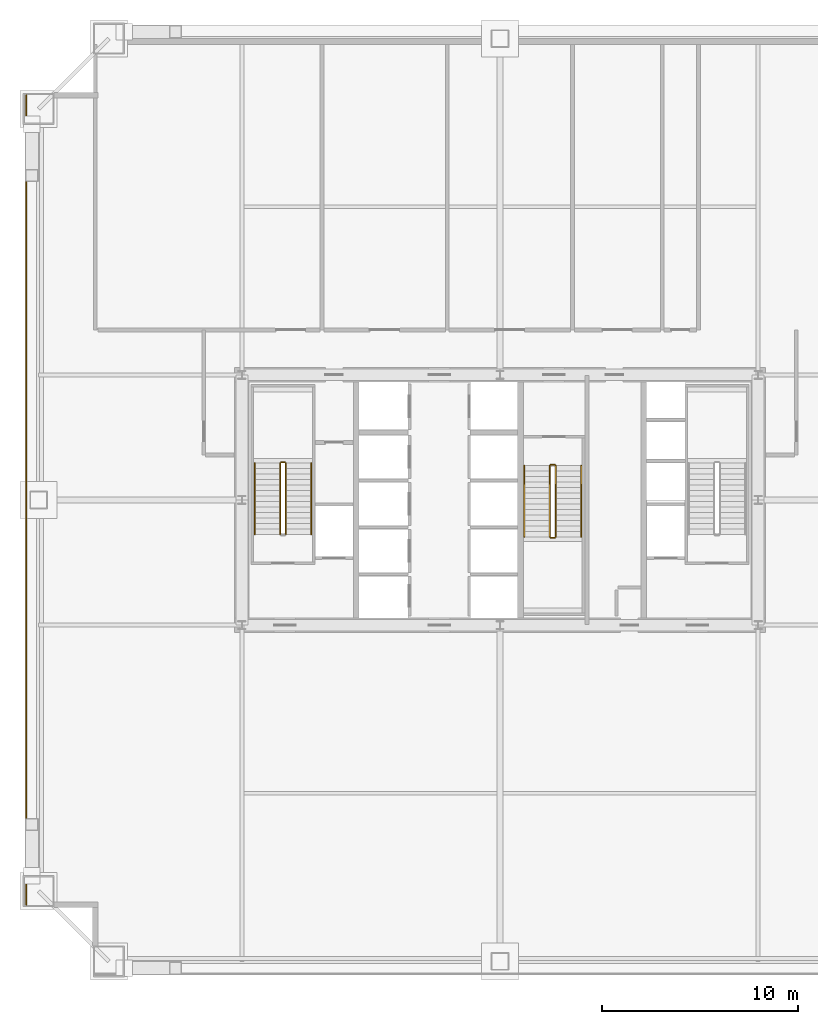
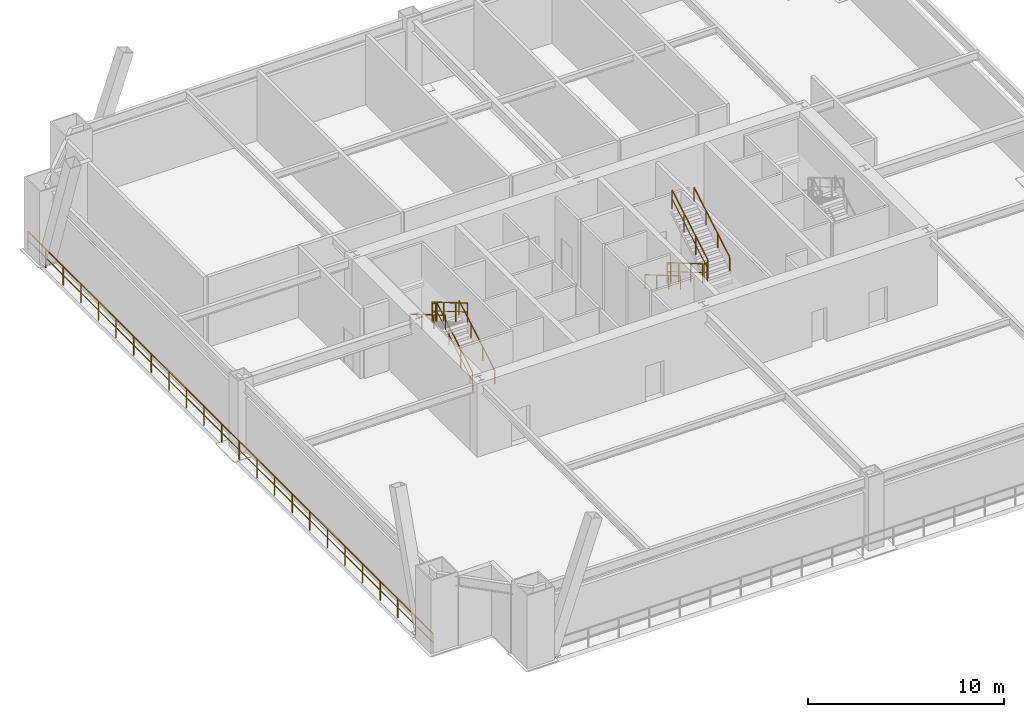
# One storey, part 7 of 9: 12 railings.
"""IFC4 building model written with IfcOpenShell, lengths in metres."""

from ifc_helpers import new_model, si_unit, direction, frame, origin, origin_2d, place, context, subcontext, project, spatial, rectangle, extrude, source, transform, mapped, material, layer, layer_set, type_object, element, save


model = new_model("IFC4")

# Units and contexts
model_context = context("Model", 3, precision=1e-05, world=origin(), true_north=direction((0.0, 1.0)))
body_context = subcontext(model_context, "Body", "Model", "MODEL_VIEW")
ifc_project = project(units=[si_unit("LENGTHUNIT", "METRE"), si_unit("AREAUNIT", "SQUARE_METRE"), si_unit("VOLUMEUNIT", "CUBIC_METRE"), si_unit("PLANEANGLEUNIT", "RADIAN"), si_unit("MASSUNIT", "GRAM", prefix="KILO"), si_unit("THERMODYNAMICTEMPERATUREUNIT", "KELVIN"), si_unit("POWERUNIT", "WATT")], contexts=[model_context])

# Site, building, storey
site_placement = place(None, origin())
site = spatial("IfcSite", under=ifc_project, at=site_placement, CompositionType="ELEMENT")
building_placement = place(site_placement, origin())
building = spatial("IfcBuilding", under=site, at=building_placement, Name="Yuzanri Waterfront Tower", CompositionType="ELEMENT")
storey_placement = place(building_placement, frame((0.0, 0.0, 85.60009765625)))
storey = spatial("IfcBuildingStorey", under=building, at=storey_placement, Name="L22", CompositionType="ELEMENT", Elevation=85.60009765625)

# Railings
ifc_material_1 = material(Name="Anodized Architectural Bronze", Category="metal")
ifc_layer_1 = layer(ifc_material_1, 0.080078125)
ifc_layer_set_1 = layer_set([ifc_layer_1], Name="Anodized Architectural Bronze")
railing_type_1 = type_object("IfcRailingType", Name="Laminated Glass and Bronze Balcony Guardrail 1200", PredefinedType="BALUSTRADE", material=ifc_layer_set_1)
shared_shape_1 = source(origin(), body_context, "Body", "SweptSolid", [
    extrude(rectangle(XDim=0.050048828125, YDim=0.050048828125, at=origin_2d()), frame((0.0, 0.0, 1.1748046875), z_axis=(0.0, 1.0, 0.0), x_axis=(-1.0, 0.0, 0.0)), (0.0, 0.0, 1.0), 41.39990234375),
    extrude(rectangle(XDim=0.035888671875, YDim=0.030029296875, at=origin_2d()), frame((0.0, 0.0, 0.6240234375), z_axis=(0.0, 1.0, 0.0), x_axis=(-1.0, 0.0, 0.0)), (0.0, 0.0, 1.0), 41.39990234375),
    extrude(rectangle(XDim=0.0458984375, YDim=0.0458984375, at=origin_2d()), origin(), (0.0, 0.0, 1.0), 1.14990234375),
    extrude(rectangle(XDim=0.0458984375, YDim=0.0458984375, at=origin_2d()), frame((0.0, 1.800048828125, 0.0)), (0.0, 0.0, 1.0), 1.14990234375),
    extrude(rectangle(XDim=0.0458984375, YDim=0.0458984375, at=origin_2d()), frame((0.0, 3.60009765625, 0.0)), (0.0, 0.0, 1.0), 1.14990234375),
    extrude(rectangle(XDim=0.0458984375, YDim=0.0458984375, at=origin_2d()), frame((0.0, 5.39990234375, 0.0)), (0.0, 0.0, 1.0), 1.14990234375),
    extrude(rectangle(XDim=0.0458984375, YDim=0.0458984375, at=origin_2d()), frame((0.0, 7.199951171875, 0.0)), (0.0, 0.0, 1.0), 1.14990234375),
    extrude(rectangle(XDim=0.0458984375, YDim=0.0458984375, at=origin_2d()), frame((0.0, 9.0, 0.0)), (0.0, 0.0, 1.0), 1.14990234375),
    extrude(rectangle(XDim=0.0458984375, YDim=0.0458984375, at=origin_2d()), frame((0.0, 10.800048828125, 0.0)), (0.0, 0.0, 1.0), 1.14990234375),
    extrude(rectangle(XDim=0.0458984375, YDim=0.0458984375, at=origin_2d()), frame((0.0, 12.599853515625, 0.0)), (0.0, 0.0, 1.0), 1.14990234375),
    extrude(rectangle(XDim=0.0458984375, YDim=0.0458984375, at=origin_2d()), frame((0.0, 14.39990234375, 0.0)), (0.0, 0.0, 1.0), 1.14990234375),
    extrude(rectangle(XDim=0.0458984375, YDim=0.0458984375, at=origin_2d()), frame((0.0, 16.199951171875, 0.0)), (0.0, 0.0, 1.0), 1.14990234375),
    extrude(rectangle(XDim=0.0458984375, YDim=0.0458984375, at=origin_2d()), frame((0.0, 18.0, 0.0)), (0.0, 0.0, 1.0), 1.14990234375),
    extrude(rectangle(XDim=0.0458984375, YDim=0.0458984375, at=origin_2d()), frame((0.0, 19.800048828125, 0.0)), (0.0, 0.0, 1.0), 1.14990234375),
    extrude(rectangle(XDim=0.0458984375, YDim=0.0458984375, at=origin_2d()), frame((0.0, 21.599853515625, 0.0)), (0.0, 0.0, 1.0), 1.14990234375),
    extrude(rectangle(XDim=0.0458984375, YDim=0.0458984375, at=origin_2d()), frame((0.0, 23.39990234375, 0.0)), (0.0, 0.0, 1.0), 1.14990234375),
    extrude(rectangle(XDim=0.0458984375, YDim=0.0458984375, at=origin_2d()), frame((0.0, 25.199951171875, 0.0)), (0.0, 0.0, 1.0), 1.14990234375),
    extrude(rectangle(XDim=0.0458984375, YDim=0.0458984375, at=origin_2d()), frame((0.0, 27.0, 0.0)), (0.0, 0.0, 1.0), 1.14990234375),
    extrude(rectangle(XDim=0.0458984375, YDim=0.0458984375, at=origin_2d()), frame((0.0, 28.800048828125, 0.0)), (0.0, 0.0, 1.0), 1.14990234375),
    extrude(rectangle(XDim=0.0458984375, YDim=0.0458984375, at=origin_2d()), frame((0.0, 30.599853515625, 0.0)), (0.0, 0.0, 1.0), 1.14990234375),
    extrude(rectangle(XDim=0.0458984375, YDim=0.0458984375, at=origin_2d()), frame((0.0, 32.39990234375, 0.0)), (0.0, 0.0, 1.0), 1.14990234375),
    extrude(rectangle(XDim=0.0458984375, YDim=0.0458984375, at=origin_2d()), frame((0.0, 34.199951171875, 0.0)), (0.0, 0.0, 1.0), 1.14990234375),
    extrude(rectangle(XDim=0.0458984375, YDim=0.0458984375, at=origin_2d()), frame((0.0, 36.0, 0.0)), (0.0, 0.0, 1.0), 1.14990234375),
    extrude(rectangle(XDim=0.0458984375, YDim=0.0458984375, at=origin_2d()), frame((0.0, 37.7998046875, 0.0)), (0.0, 0.0, 1.0), 1.14990234375),
    extrude(rectangle(XDim=0.0458984375, YDim=0.0458984375, at=origin_2d()), frame((0.0, 39.599853515625, 0.0)), (0.0, 0.0, 1.0), 1.14990234375),
    extrude(rectangle(XDim=0.0458984375, YDim=0.0458984375, at=origin_2d()), frame((0.0, 41.39990234375, 0.0)), (0.0, 0.0, 1.0), 1.14990234375),
])
railing_1_placement = place(storey_placement, frame((12.780029296875, 5.10009765625, 0.0)))
element("IfcRailing", 1, at=railing_1_placement, inside=storey, type_object=railing_type_1, Name="L22 West Refuge Edge Guard", PredefinedType="BALUSTRADE", context=body_context, shape_type="MappedRepresentation", body=[
    mapped(shared_shape_1, transform((0.0, 0.0, 0.0), scale=1.0)),
])
ifc_material_2 = material(Name="Painted Galvanized Fire Steel", Category="steel")
ifc_layer_2 = layer(ifc_material_2, 0.06005859375)
ifc_layer_set_2 = layer_set([ifc_layer_2], Name="Painted Galvanized Fire Steel")
railing_type_2 = type_object("IfcRailingType", Name="Painted Steel Stairwell Guardrail 1120", PredefinedType="GUARDRAIL", material=ifc_layer_set_2)
shared_shape_2 = source(origin(), body_context, "Body", "SweptSolid", [
    extrude(rectangle(XDim=0.050048828125, YDim=0.050048828125, at=origin_2d()), frame((0.0, 0.0, 1.1748046875), z_axis=(-1.0, 0.0, 0.0), x_axis=(0.0, -1.0, 0.0)), (0.0, 0.0, 1.0), 0.199951171875),
    extrude(rectangle(XDim=0.035888671875, YDim=0.030029296875, at=origin_2d()), frame((0.0, 0.0, 0.6240234375), z_axis=(-1.0, 0.0, 0.0), x_axis=(0.0, -1.0, 0.0)), (0.0, 0.0, 1.0), 0.199951171875),
    extrude(rectangle(XDim=0.0458984375, YDim=0.0458984375, at=origin_2d()), origin(), (0.0, 0.0, 1.0), 1.14990234375),
    extrude(rectangle(XDim=0.0458984375, YDim=0.0458984375, at=origin_2d()), frame((-0.199951171875, 0.0, 0.0)), (0.0, 0.0, 1.0), 1.14990234375),
])
railing_2_placement = place(storey_placement, frame((26.0, 27.72998046875, 2.2998046875)))
element("IfcRailing", 2, at=railing_2_placement, inside=storey, type_object=railing_type_2, Name="L22 ST-01 stair guard 2", PredefinedType="GUARDRAIL", context=body_context, shape_type="MappedRepresentation", body=[
    mapped(shared_shape_2, transform((0.0, 0.0, 0.0), scale=1.0)),
])
shared_shape_3 = source(origin(), body_context, "Body", "SweptSolid", [
    extrude(rectangle(XDim=0.050048828125, YDim=0.050048828125, at=origin_2d()), frame((0.0, 0.0, 1.1748046875), z_axis=(0.0, -0.862489892076, 0.506074289079), x_axis=(1.0, 0.0, 0.0)), (0.0, 0.0, 1.0), 4.22021484375),
    extrude(rectangle(XDim=0.035888671875, YDim=0.030029296875, at=origin_2d()), frame((0.0, 0.0, 0.6240234375), z_axis=(0.0, -0.862489892076, 0.506074289079), x_axis=(1.0, 0.0, 0.0)), (0.0, 0.0, 1.0), 4.22021484375),
    extrude(rectangle(XDim=0.0458984375, YDim=0.0458984375, at=origin_2d()), origin(), (0.0, 0.0, 1.0), 1.14990234375),
    extrude(rectangle(XDim=0.0458984375, YDim=0.0458984375, at=origin_2d()), frame((0.0, -1.21337890625, 0.7119140625)), (0.0, 0.0, 1.0), 1.14990234375),
    extrude(rectangle(XDim=0.0458984375, YDim=0.0458984375, at=origin_2d()), frame((0.0, -2.426513671875, 1.423828125)), (0.0, 0.0, 1.0), 1.14990234375),
    extrude(rectangle(XDim=0.0458984375, YDim=0.0458984375, at=origin_2d()), frame((0.0, -3.639892578125, 2.1357421875)), (0.0, 0.0, 1.0), 1.14990234375),
])
railing_3_placement = place(storey_placement, frame((25.75, 27.679931640625, 2.464111328125)))
element("IfcRailing", 3, at=railing_3_placement, inside=storey, type_object=railing_type_2, Name="L22 ST-01 stair guard 3", PredefinedType="GUARDRAIL", context=body_context, shape_type="MappedRepresentation", body=[
    mapped(shared_shape_3, transform((0.0, 0.0, 0.0), scale=1.0)),
])
ifc_material_3 = material(Name="Anodized Architectural Bronze", Category="metal")
ifc_layer_3 = layer(ifc_material_3, 0.050048828125)
ifc_layer_set_3 = layer_set([ifc_layer_3], Name="Anodized Architectural Bronze")
railing_type_3 = type_object("IfcRailingType", Name="Brushed Bronze Stair Pitch Handrail 920", PredefinedType="HANDRAIL", material=ifc_layer_set_3)
shared_shape_4 = source(origin(), body_context, "Body", "SweptSolid", [
    extrude(rectangle(XDim=0.050048828125, YDim=0.050048828125, at=origin_2d()), frame((0.0, 0.0, 0.875), z_axis=(0.0, -0.862489892076, 0.506074289079), x_axis=(1.0, 0.0, 0.0)), (0.0, 0.0, 1.0), 4.22021484375),
    extrude(rectangle(XDim=0.0458984375, YDim=0.0458984375, at=origin_2d()), origin(), (0.0, 0.0, 1.0), 0.849853515625),
    extrude(rectangle(XDim=0.0458984375, YDim=0.0458984375, at=origin_2d()), frame((0.0, -1.21337890625, 0.7119140625)), (0.0, 0.0, 1.0), 0.849853515625),
    extrude(rectangle(XDim=0.0458984375, YDim=0.0458984375, at=origin_2d()), frame((0.0, -2.426513671875, 1.423828125)), (0.0, 0.0, 1.0), 0.849853515625),
    extrude(rectangle(XDim=0.0458984375, YDim=0.0458984375, at=origin_2d()), frame((0.0, -3.639892578125, 2.1357421875)), (0.0, 0.0, 1.0), 0.849853515625),
])
railing_4_placement = place(storey_placement, frame((24.449951171875, 27.679931640625, 2.464111328125)))
element("IfcRailing", 4, at=railing_4_placement, inside=storey, type_object=railing_type_3, Name="L22 ST-01 stair handrail 2", PredefinedType="HANDRAIL", context=body_context, shape_type="MappedRepresentation", body=[
    mapped(shared_shape_4, transform((0.0, 0.0, 0.0), scale=1.0)),
])
shared_shape_5 = source(origin(), body_context, "Body", "SweptSolid", [
    extrude(rectangle(XDim=0.050048828125, YDim=0.050048828125, at=origin_2d()), frame((0.0, 0.0, 1.1748046875), z_axis=(0.0, 0.862515142463, 0.50603125301), x_axis=(-1.0, 0.0, 0.0)), (0.0, 0.0, 1.0), 4.219970703125),
    extrude(rectangle(XDim=0.035888671875, YDim=0.030029296875, at=origin_2d()), frame((0.0, 0.0, 0.6240234375), z_axis=(0.0, 0.862515142463, 0.50603125301), x_axis=(-1.0, 0.0, 0.0)), (0.0, 0.0, 1.0), 4.219970703125),
    extrude(rectangle(XDim=0.0458984375, YDim=0.0458984375, at=origin_2d()), origin(), (0.0, 0.0, 1.0), 1.14990234375),
    extrude(rectangle(XDim=0.0458984375, YDim=0.0458984375, at=origin_2d()), frame((0.0, 1.21337890625, 0.7119140625)), (0.0, 0.0, 1.0), 1.14990234375),
    extrude(rectangle(XDim=0.0458984375, YDim=0.0458984375, at=origin_2d()), frame((0.0, 2.426513671875, 1.423583984375)), (0.0, 0.0, 1.0), 1.14990234375),
    extrude(rectangle(XDim=0.0458984375, YDim=0.0458984375, at=origin_2d()), frame((0.0, 3.639892578125, 2.135498046875)), (0.0, 0.0, 1.0), 1.14990234375),
])
railing_5_placement = place(storey_placement, frame((26.050048828125, 24.0400390625, 0.164306640625)))
element("IfcRailing", 5, at=railing_5_placement, inside=storey, type_object=railing_type_2, Name="L22 ST-01 stair guard 1", PredefinedType="GUARDRAIL", context=body_context, shape_type="MappedRepresentation", body=[
    mapped(shared_shape_5, transform((0.0, 0.0, 0.0), scale=1.0)),
])
shared_shape_6 = source(origin(), body_context, "Body", "SweptSolid", [
    extrude(rectangle(XDim=0.050048828125, YDim=0.050048828125, at=origin_2d()), frame((0.0, 0.0, 0.875), z_axis=(0.0, 0.862515142463, 0.50603125301), x_axis=(-1.0, 0.0, 0.0)), (0.0, 0.0, 1.0), 4.219970703125),
    extrude(rectangle(XDim=0.0458984375, YDim=0.0458984375, at=origin_2d()), origin(), (0.0, 0.0, 1.0), 0.849853515625),
    extrude(rectangle(XDim=0.0458984375, YDim=0.0458984375, at=origin_2d()), frame((0.0, 1.21337890625, 0.7119140625)), (0.0, 0.0, 1.0), 0.849853515625),
    extrude(rectangle(XDim=0.0458984375, YDim=0.0458984375, at=origin_2d()), frame((0.0, 2.426513671875, 1.423583984375)), (0.0, 0.0, 1.0), 0.849853515625),
    extrude(rectangle(XDim=0.0458984375, YDim=0.0458984375, at=origin_2d()), frame((0.0, 3.639892578125, 2.135498046875)), (0.0, 0.0, 1.0), 0.849853515625),
])
railing_6_placement = place(storey_placement, frame((27.35009765625, 24.0400390625, 0.164306640625)))
element("IfcRailing", 6, at=railing_6_placement, inside=storey, type_object=railing_type_3, Name="L22 ST-01 stair handrail 1", PredefinedType="HANDRAIL", context=body_context, shape_type="MappedRepresentation", body=[
    mapped(shared_shape_6, transform((0.0, 0.0, 0.0), scale=1.0)),
])
shared_shape_7 = source(origin(), body_context, "Body", "SweptSolid", [
    extrude(rectangle(XDim=0.050048828125, YDim=0.050048828125, at=origin_2d()), frame((0.0, 0.0, 1.1748046875), z_axis=(1.0, 0.0, 0.0), x_axis=(0.0, 1.0, 0.0)), (0.0, 0.0, 1.0), 0.199951171875),
    extrude(rectangle(XDim=0.035888671875, YDim=0.030029296875, at=origin_2d()), frame((0.0, 0.0, 0.6240234375), z_axis=(1.0, 0.0, 0.0), x_axis=(0.0, 1.0, 0.0)), (0.0, 0.0, 1.0), 0.199951171875),
    extrude(rectangle(XDim=0.0458984375, YDim=0.0458984375, at=origin_2d()), origin(), (0.0, 0.0, 1.0), 1.14990234375),
    extrude(rectangle(XDim=0.0458984375, YDim=0.0458984375, at=origin_2d()), frame((0.199951171875, 0.0, 0.0)), (0.0, 0.0, 1.0), 1.14990234375),
])
for number, where, name in (
    (7, (39.60009765625, 23.8701171875, 2.2998046875), "L22 ST-03 stair guard 2"),
    (8, (39.60009765625, 27.610107421875, 0.0), "L22 ST-03 stair guard 4"),
):
    element("IfcRailing", number, at=place(storey_placement, frame(where)), inside=storey, type_object=railing_type_2, Name=name, PredefinedType="GUARDRAIL", context=body_context, shape_type="MappedRepresentation", body=[
        mapped(shared_shape_7, transform((0.0, 0.0, 0.0), scale=1.0)),
    ])
shared_shape_8 = source(origin(), body_context, "Body", "SweptSolid", [
    extrude(rectangle(XDim=0.050048828125, YDim=0.050048828125, at=origin_2d()), frame((0.0, 0.0, 1.1748046875), z_axis=(0.0, 0.862504707072, 0.506049039401), x_axis=(-1.0, 0.0, 0.0)), (0.0, 0.0, 1.0), 4.220458984375),
    extrude(rectangle(XDim=0.035888671875, YDim=0.030029296875, at=origin_2d()), frame((0.0, 0.0, 0.6240234375), z_axis=(0.0, 0.862504707072, 0.506049039401), x_axis=(-1.0, 0.0, 0.0)), (0.0, 0.0, 1.0), 4.220458984375),
    extrude(rectangle(XDim=0.0458984375, YDim=0.0458984375, at=origin_2d()), origin(), (0.0, 0.0, 1.0), 1.14990234375),
    extrude(rectangle(XDim=0.0458984375, YDim=0.0458984375, at=origin_2d()), frame((0.0, 1.21337890625, 0.7119140625)), (0.0, 0.0, 1.0), 1.14990234375),
    extrude(rectangle(XDim=0.0458984375, YDim=0.0458984375, at=origin_2d()), frame((0.0, 2.4267578125, 1.423828125)), (0.0, 0.0, 1.0), 1.14990234375),
    extrude(rectangle(XDim=0.0458984375, YDim=0.0458984375, at=origin_2d()), frame((0.0, 3.64013671875, 2.1357421875)), (0.0, 0.0, 1.0), 1.14990234375),
])
railing_7_placement = place(storey_placement, frame((39.85009765625, 23.919921875, 2.464111328125)))
element("IfcRailing", 9, at=railing_7_placement, inside=storey, type_object=railing_type_2, Name="L22 ST-03 stair guard 3", PredefinedType="GUARDRAIL", context=body_context, shape_type="MappedRepresentation", body=[
    mapped(shared_shape_8, transform((0.0, 0.0, 0.0), scale=1.0)),
])
shared_shape_9 = source(origin(), body_context, "Body", "SweptSolid", [
    extrude(rectangle(XDim=0.050048828125, YDim=0.050048828125, at=origin_2d()), frame((0.0, 0.0, 0.875), z_axis=(0.0, 0.862504707072, 0.506049039401), x_axis=(-1.0, 0.0, 0.0)), (0.0, 0.0, 1.0), 4.220458984375),
    extrude(rectangle(XDim=0.0458984375, YDim=0.0458984375, at=origin_2d()), origin(), (0.0, 0.0, 1.0), 0.849853515625),
    extrude(rectangle(XDim=0.0458984375, YDim=0.0458984375, at=origin_2d()), frame((0.0, 1.21337890625, 0.7119140625)), (0.0, 0.0, 1.0), 0.849853515625),
    extrude(rectangle(XDim=0.0458984375, YDim=0.0458984375, at=origin_2d()), frame((0.0, 2.4267578125, 1.423828125)), (0.0, 0.0, 1.0), 0.849853515625),
    extrude(rectangle(XDim=0.0458984375, YDim=0.0458984375, at=origin_2d()), frame((0.0, 3.64013671875, 2.1357421875)), (0.0, 0.0, 1.0), 0.849853515625),
])
railing_8_placement = place(storey_placement, frame((41.14990234375, 23.919921875, 2.464111328125)))
element("IfcRailing", 10, at=railing_8_placement, inside=storey, type_object=railing_type_3, Name="L22 ST-03 stair handrail 2", PredefinedType="HANDRAIL", context=body_context, shape_type="MappedRepresentation", body=[
    mapped(shared_shape_9, transform((0.0, 0.0, 0.0), scale=1.0)),
])
shared_shape_10 = source(origin(), body_context, "Body", "SweptSolid", [
    extrude(rectangle(XDim=0.050048828125, YDim=0.050048828125, at=origin_2d()), frame((0.0, 0.0, 1.1748046875), z_axis=(0.0, -0.862529955373, 0.506006004), x_axis=(1.0, 0.0, 0.0)), (0.0, 0.0, 1.0), 4.22021484375),
    extrude(rectangle(XDim=0.035888671875, YDim=0.030029296875, at=origin_2d()), frame((0.0, 0.0, 0.6240234375), z_axis=(0.0, -0.862529955373, 0.506006004), x_axis=(1.0, 0.0, 0.0)), (0.0, 0.0, 1.0), 4.22021484375),
    extrude(rectangle(XDim=0.0458984375, YDim=0.0458984375, at=origin_2d()), origin(), (0.0, 0.0, 1.0), 1.14990234375),
    extrude(rectangle(XDim=0.0458984375, YDim=0.0458984375, at=origin_2d()), frame((0.0, -1.21337890625, 0.7119140625)), (0.0, 0.0, 1.0), 1.14990234375),
    extrude(rectangle(XDim=0.0458984375, YDim=0.0458984375, at=origin_2d()), frame((0.0, -2.4267578125, 1.423583984375)), (0.0, 0.0, 1.0), 1.14990234375),
    extrude(rectangle(XDim=0.0458984375, YDim=0.0458984375, at=origin_2d()), frame((0.0, -3.64013671875, 2.135498046875)), (0.0, 0.0, 1.0), 1.14990234375),
])
railing_9_placement = place(storey_placement, frame((39.550048828125, 27.56005859375, 0.164306640625)))
element("IfcRailing", 11, at=railing_9_placement, inside=storey, type_object=railing_type_2, Name="L22 ST-03 stair guard 1", PredefinedType="GUARDRAIL", context=body_context, shape_type="MappedRepresentation", body=[
    mapped(shared_shape_10, transform((0.0, 0.0, 0.0), scale=1.0)),
])
shared_shape_11 = source(origin(), body_context, "Body", "SweptSolid", [
    extrude(rectangle(XDim=0.050048828125, YDim=0.050048828125, at=origin_2d()), frame((0.0, 0.0, 0.875), z_axis=(0.0, -0.862529955373, 0.506006004), x_axis=(1.0, 0.0, 0.0)), (0.0, 0.0, 1.0), 4.22021484375),
    extrude(rectangle(XDim=0.0458984375, YDim=0.0458984375, at=origin_2d()), origin(), (0.0, 0.0, 1.0), 0.849853515625),
    extrude(rectangle(XDim=0.0458984375, YDim=0.0458984375, at=origin_2d()), frame((0.0, -1.21337890625, 0.7119140625)), (0.0, 0.0, 1.0), 0.849853515625),
    extrude(rectangle(XDim=0.0458984375, YDim=0.0458984375, at=origin_2d()), frame((0.0, -2.4267578125, 1.423583984375)), (0.0, 0.0, 1.0), 0.849853515625),
    extrude(rectangle(XDim=0.0458984375, YDim=0.0458984375, at=origin_2d()), frame((0.0, -3.64013671875, 2.135498046875)), (0.0, 0.0, 1.0), 0.849853515625),
])
railing_10_placement = place(storey_placement, frame((38.25, 27.56005859375, 0.164306640625)))
element("IfcRailing", 12, at=railing_10_placement, inside=storey, type_object=railing_type_3, Name="L22 ST-03 stair handrail 1", PredefinedType="HANDRAIL", context=body_context, shape_type="MappedRepresentation", body=[
    mapped(shared_shape_11, transform((0.0, 0.0, 0.0), scale=1.0)),
])

save(model, "model.ifc")
